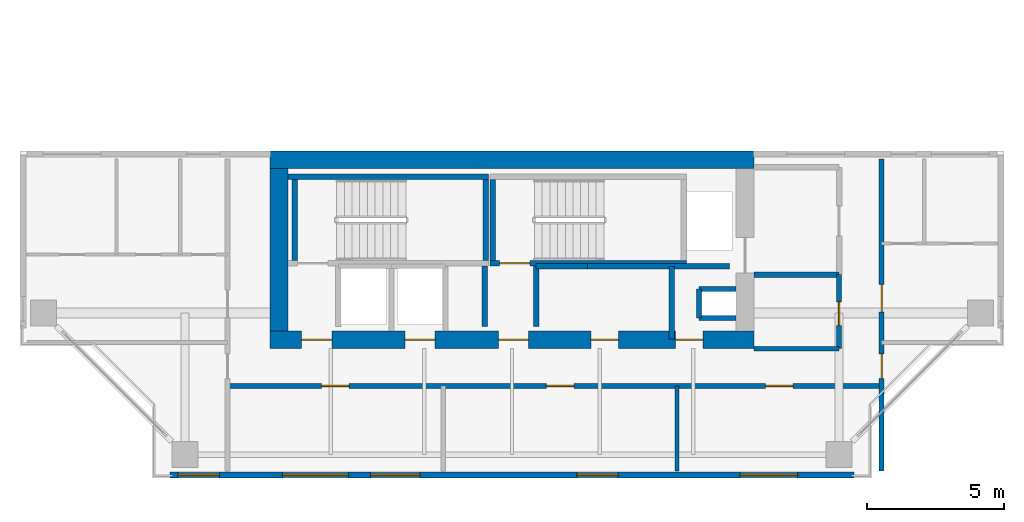
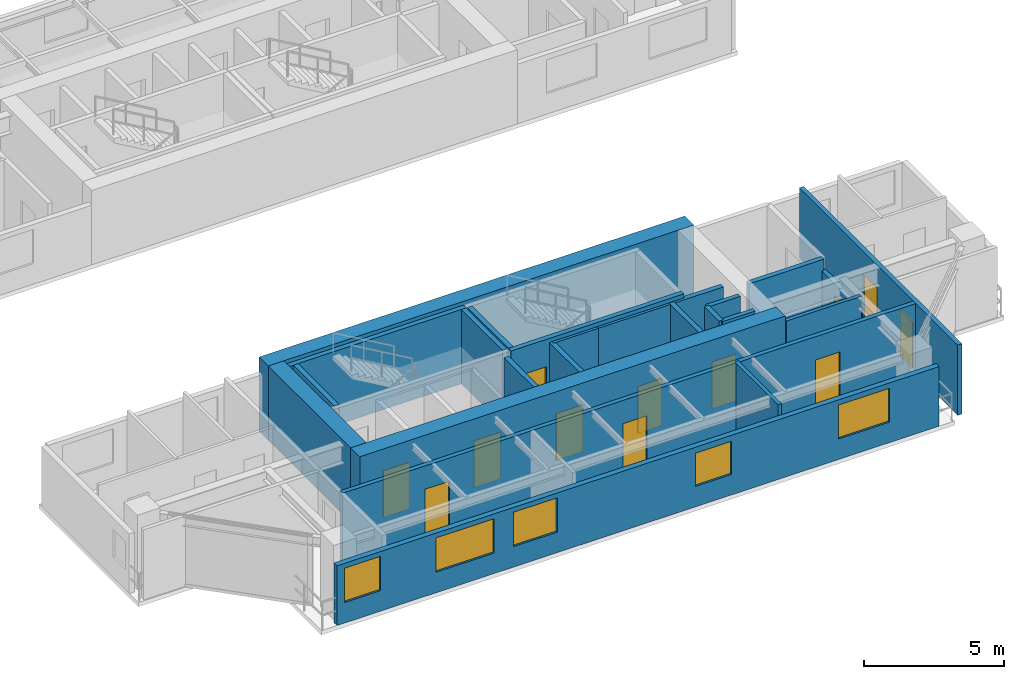
# One storey, part 7 of 12: 23 walls, 12 doors, 5 windows, 17 openings.
"""IFC4 building model written with IfcOpenShell, lengths in metres."""

from ifc_helpers import new_model, si_unit, direction, frame, frame_2d, origin, place, context, subcontext, project, spatial, rectangle, extrude, source, transform, mapped, material, layer, layer_set, type_object, element, fill, save


model = new_model("IFC4")

# Units and contexts
model_context = context("Model", 3, precision=1e-05, world=origin(), true_north=direction((0.0, 1.0)))
body_context = subcontext(model_context, "Body", "Model", "MODEL_VIEW")
ifc_project = project(units=[si_unit("LENGTHUNIT", "METRE"), si_unit("AREAUNIT", "SQUARE_METRE"), si_unit("VOLUMEUNIT", "CUBIC_METRE"), si_unit("PLANEANGLEUNIT", "RADIAN"), si_unit("MASSUNIT", "GRAM", prefix="KILO"), si_unit("THERMODYNAMICTEMPERATUREUNIT", "KELVIN"), si_unit("POWERUNIT", "WATT")], contexts=[model_context])

# Site, building, storey
site_placement = place(None, origin())
site = spatial("IfcSite", under=ifc_project, at=site_placement, CompositionType="ELEMENT")
building_placement = place(site_placement, origin())
building = spatial("IfcBuilding", under=site, at=building_placement, Name="Qiaomeng Ring Towers", CompositionType="ELEMENT")
storey_placement = place(building_placement, frame((0.0, 0.0, 156.75)))
storey = spatial("IfcBuildingStorey", under=building, at=storey_placement, Name="L45", CompositionType="ELEMENT", Elevation=156.75)

# Wall, openings, windows
ifc_material_1 = material(Name="Precast concrete C40", Category="concrete")
ifc_layer_1 = layer(ifc_material_1, 0.219970703125, Name="Precast concrete C40")
ifc_layer_set_1 = layer_set([ifc_layer_1], Name="Precast concrete C40")
wall_type_1 = type_object("IfcWallType", Name="ARC-WL-EW2", PredefinedType="STANDARD", material=ifc_layer_set_1)
wall_1_placement = place(storey_placement, frame((6.550048828125, 5.2099609375, 0.0), z_axis=(0.0, 0.0, 1.0), x_axis=(1.0, 0.0, 0.0)))
wall_1 = element("IfcWall", 1, at=wall_1_placement, inside=storey, type_object=wall_type_1, Name="L45 Tower 1 S Exterior Wall", PredefinedType="STANDARD", context=body_context, shape_type="SweptSolid", body=[
    extrude(rectangle(XDim=24.89990234375, YDim=0.219970703125, at=frame_2d((12.449951171875, 0.0))), origin(), (0.0, 0.0, 1.0), 2.610107421875),
])
opening_1_placement = place(wall_1_placement, frame((0.300048828125, 0.0, 0.89990234375)))
opening_1 = element("IfcOpeningElement", 2, at=opening_1_placement, cuts=wall_1, Name="Opening WN2", PredefinedType="OPENING", context=body_context, shape_type="SweptSolid", body=[
    extrude(rectangle(XDim=1.5, YDim=1.5, at=frame_2d((0.75, 0.75))), frame((0.0, 0.119873046875, 0.0), z_axis=(0.0, -1.0, 0.0), x_axis=(1.0, 0.0, 0.0)), (0.0, 0.0, 1.0), 0.239990234375),
])
opening_2_placement = place(wall_1_placement, frame((7.304443359375, 0.0, 0.89990234375)))
opening_2 = element("IfcOpeningElement", 3, at=opening_2_placement, cuts=wall_1, Name="Opening WN1", PredefinedType="OPENING", context=body_context, shape_type="SweptSolid", body=[
    extrude(rectangle(XDim=1.800048828125, YDim=1.5, at=frame_2d((0.89990234375, 0.75))), frame((0.0, 0.119873046875, 0.0), z_axis=(0.0, -1.0, 0.0), x_axis=(1.0, 0.0, 0.0)), (0.0, 0.0, 1.0), 0.239990234375),
])
opening_3_placement = place(wall_1_placement, frame((14.81298828125, 0.0, 0.89990234375)))
opening_3 = element("IfcOpeningElement", 4, at=opening_3_placement, cuts=wall_1, Name="Opening WN2", PredefinedType="OPENING", context=body_context, shape_type="SweptSolid", body=[
    extrude(rectangle(XDim=1.5, YDim=1.449951171875, at=frame_2d((0.75, 0.72509765625))), frame((0.0, 0.119873046875, 0.0), z_axis=(0.0, -1.0, 0.0), x_axis=(1.0, 0.0, 0.0)), (0.0, 0.0, 1.0), 0.239990234375),
])
opening_4_placement = place(wall_1_placement, frame((20.738037109375, 0.0, 0.89990234375)))
opening_4 = element("IfcOpeningElement", 5, at=opening_4_placement, cuts=wall_1, Name="Opening WN4", PredefinedType="OPENING", context=body_context, shape_type="SweptSolid", body=[
    extrude(rectangle(XDim=2.10009765625, YDim=1.47998046875, at=frame_2d((1.050048828125, 0.739990234375))), frame((0.0, 0.119873046875, 0.0), z_axis=(0.0, -1.0, 0.0), x_axis=(1.0, 0.0, 0.0)), (0.0, 0.0, 1.0), 0.239990234375),
])
opening_5_placement = place(wall_1_placement, frame((4.093994140625, 0.0, 0.89990234375)))
opening_5 = element("IfcOpeningElement", 6, at=opening_5_placement, cuts=wall_1, Name="Opening WN6", PredefinedType="OPENING", context=body_context, shape_type="SweptSolid", body=[
    extrude(rectangle(XDim=2.39990234375, YDim=1.5, at=frame_2d((1.199951171875, 0.75))), frame((0.0, 0.119873046875, 0.0), z_axis=(0.0, -1.0, 0.0), x_axis=(1.0, 0.0, 0.0)), (0.0, 0.0, 1.0), 0.239990234375),
])
ifc_material_2 = material(Name="Low-E dark-grey laminated double glazing", Category="glass")
window_type_1 = type_object("IfcWindowType", Name="ARC-WN-2", PartitioningType="DOUBLE_PANEL_VERTICAL", PredefinedType="WINDOW", material=ifc_material_2)
shared_shape_1 = source(origin(), body_context, "Body", "SweptSolid", [
    extrude(rectangle(XDim=1.5, YDim=1.449951171875, at=frame_2d((0.75, 0.72509765625))), frame((0.0, 0.030029296875, 0.0), z_axis=(0.0, -1.0, 0.0), x_axis=(1.0, 0.0, 0.0)), (0.0, 0.0, 1.0), 0.06005859375),
])
window_1_placement = place(opening_3_placement, origin())
window_1 = element("IfcWindow", 7, at=window_1_placement, inside=storey, type_object=window_type_1, Name="L45 Exterior Window WN2", OverallHeight=1.449951171875, OverallWidth=1.5, PartitioningType="DOUBLE_PANEL_VERTICAL", PredefinedType="WINDOW", context=body_context, shape_type="MappedRepresentation", body=[
    mapped(shared_shape_1, transform((0.0, 0.0, 0.0), x_axis=(1.0, 0.0, 0.0), y_axis=(0.0, 1.0, 0.0), z_axis=(0.0, 0.0, 1.0), scale=1.0)),
])
fill(opening_3, window_1)
window_type_2 = type_object("IfcWindowType", Name="ARC-WN-4", PartitioningType="TRIPLE_PANEL_VERTICAL", PredefinedType="WINDOW", material=ifc_material_2)
shared_shape_2 = source(origin(), body_context, "Body", "SweptSolid", [
    extrude(rectangle(XDim=2.10009765625, YDim=1.47998046875, at=frame_2d((1.050048828125, 0.739990234375))), frame((0.0, 0.030029296875, 0.0), z_axis=(0.0, -1.0, 0.0), x_axis=(1.0, 0.0, 0.0)), (0.0, 0.0, 1.0), 0.06005859375),
])
window_2_placement = place(opening_4_placement, origin())
window_2 = element("IfcWindow", 8, at=window_2_placement, inside=storey, type_object=window_type_2, Name="L45 Exterior Window WN4", OverallHeight=1.47998046875, OverallWidth=2.10009765625, PartitioningType="TRIPLE_PANEL_VERTICAL", PredefinedType="WINDOW", context=body_context, shape_type="MappedRepresentation", body=[
    mapped(shared_shape_2, transform((0.0, 0.0, 0.0), x_axis=(1.0, 0.0, 0.0), y_axis=(0.0, 1.0, 0.0), z_axis=(0.0, 0.0, 1.0), scale=1.0)),
])
fill(opening_4, window_2)
shared_shape_3 = source(origin(), body_context, "Body", "SweptSolid", [
    extrude(rectangle(XDim=1.5, YDim=1.5, at=frame_2d((0.75, 0.75))), frame((0.0, 0.030029296875, 0.0), z_axis=(0.0, -1.0, 0.0), x_axis=(1.0, 0.0, 0.0)), (0.0, 0.0, 1.0), 0.06005859375),
])
window_3_placement = place(opening_1_placement, origin())
window_3 = element("IfcWindow", 9, at=window_3_placement, inside=storey, type_object=window_type_1, Name="L45 Exterior Window WN6", OverallHeight=1.5, OverallWidth=1.5, PartitioningType="TRIPLE_PANEL_VERTICAL", PredefinedType="WINDOW", context=body_context, shape_type="MappedRepresentation", body=[
    mapped(shared_shape_3, transform((0.0, 0.0, 0.0), x_axis=(1.0, 0.0, 0.0), y_axis=(0.0, 1.0, 0.0), z_axis=(0.0, 0.0, 1.0), scale=1.0)),
])
fill(opening_1, window_3)
window_type_3 = type_object("IfcWindowType", Name="ARC-WN-6", PartitioningType="TRIPLE_PANEL_VERTICAL", PredefinedType="WINDOW", material=ifc_material_2)
shared_shape_4 = source(origin(), body_context, "Body", "SweptSolid", [
    extrude(rectangle(XDim=2.39990234375, YDim=1.5, at=frame_2d((1.199951171875, 0.75))), frame((0.0, 0.030029296875, 0.0), z_axis=(0.0, -1.0, 0.0), x_axis=(1.0, 0.0, 0.0)), (0.0, 0.0, 1.0), 0.06005859375),
])
window_4_placement = place(opening_5_placement, origin())
window_4 = element("IfcWindow", 10, at=window_4_placement, inside=storey, type_object=window_type_3, Name="L45 Exterior Window WN6", OverallHeight=1.5, OverallWidth=2.39990234375, PartitioningType="TRIPLE_PANEL_VERTICAL", PredefinedType="WINDOW", context=body_context, shape_type="MappedRepresentation", body=[
    mapped(shared_shape_4, transform((0.0, 0.0, 0.0), x_axis=(1.0, 0.0, 0.0), y_axis=(0.0, 1.0, 0.0), z_axis=(0.0, 0.0, 1.0), scale=1.0)),
])
fill(opening_5, window_4)
window_type_4 = type_object("IfcWindowType", Name="ARC-WN-1", PartitioningType="DOUBLE_PANEL_VERTICAL", PredefinedType="WINDOW", material=ifc_material_2)
shared_shape_5 = source(origin(), body_context, "Body", "SweptSolid", [
    extrude(rectangle(XDim=1.800048828125, YDim=1.5, at=frame_2d((0.89990234375, 0.75))), frame((0.0, 0.030029296875, 0.0), z_axis=(0.0, -1.0, 0.0), x_axis=(1.0, 0.0, 0.0)), (0.0, 0.0, 1.0), 0.06005859375),
])
window_5_placement = place(opening_2_placement, origin())
window_5 = element("IfcWindow", 11, at=window_5_placement, inside=storey, type_object=window_type_4, Name="L45 Exterior Window WN1", OverallHeight=1.5, OverallWidth=1.800048828125, PartitioningType="DOUBLE_PANEL_VERTICAL", PredefinedType="WINDOW", context=body_context, shape_type="MappedRepresentation", body=[
    mapped(shared_shape_5, transform((0.0, 0.0, 0.0), x_axis=(1.0, 0.0, 0.0), y_axis=(0.0, 1.0, 0.0), z_axis=(0.0, 0.0, 1.0), scale=1.0)),
])
fill(opening_2, window_5)

# Walls
ifc_material_3 = material(Name="Autoclaved aerated concrete block", Category="concrete")
ifc_layer_2 = layer(ifc_material_3, 0.199951171875, Name="Autoclaved aerated concrete block")
ifc_layer_set_2 = layer_set([ifc_layer_2], Name="Autoclaved aerated concrete block")
wall_type_2 = type_object("IfcWallType", Name="ARC-WL-PW1", PredefinedType="PARTITIONING", material=ifc_layer_set_2)
wall_2_placement = place(storey_placement, frame((27.800048828125, 12.5, 0.0), z_axis=(0.0, 0.0, 1.0), x_axis=(1.0, 0.0, 0.0)))
element("IfcWall", 12, at=wall_2_placement, inside=storey, type_object=wall_type_2, Name="L45 Interior Wall PW1", PredefinedType="PARTITIONING", context=body_context, shape_type="SweptSolid", body=[
    extrude(rectangle(XDim=3.099853515625, YDim=0.199951171875, at=frame_2d((1.5498046875, 0.0))), origin(), (0.0, 0.0, 1.0), 3.070068359375),
])
for number, where, z_axis, x_axis, name in (
    (13, (18.0, 10.60009765625, 0.0), (0.0, 0.0, 1.0), (0.0, 1.0, 0.0), "L45 Interior Wall PW1"),
    (14, (19.8798828125, 10.60009765625, 0.0), (0.0, 0.0, 1.0), (0.0, 1.0, 0.0), "L45 Interior Wall PW1"),
):
    element("IfcWall", number, at=place(storey_placement, frame(where, z_axis=z_axis, x_axis=x_axis)), inside=storey, type_object=wall_type_2, Name=name, PredefinedType="PARTITIONING", context=body_context, shape_type="SweptSolid", body=[
        extrude(rectangle(XDim=2.2099609375, YDim=0.199951171875, at=frame_2d((1.10498046875, 0.0))), origin(), (0.0, 0.0, 1.0), 3.070068359375),
    ])
wall_3_placement = place(storey_placement, frame((24.820068359375, 10.14990234375, 0.0), z_axis=(0.0, 0.0, 1.0), x_axis=(0.0, 1.0, 0.0)))
element("IfcWall", 15, at=wall_3_placement, inside=storey, type_object=wall_type_2, Name="L45 Interior Wall PW1", PredefinedType="PARTITIONING", context=body_context, shape_type="SweptSolid", body=[
    extrude(rectangle(XDim=2.650146484375, YDim=0.199951171875, at=frame_2d((1.3251953125, 0.0))), origin(), (0.0, 0.0, 1.0), 3.070068359375),
])
wall_4_placement = place(storey_placement, frame((19.8798828125, 12.800048828125, 0.0), z_axis=(0.0, 0.0, 1.0), x_axis=(1.0, 0.0, 0.0)))
element("IfcWall", 16, at=wall_4_placement, inside=storey, type_object=wall_type_2, Name="L45 Interior Wall PW1", PredefinedType="PARTITIONING", context=body_context, shape_type="SweptSolid", body=[
    extrude(rectangle(XDim=1.8701171875, YDim=0.199951171875, at=frame_2d((0.93505859375, 0.0))), origin(), (0.0, 0.0, 1.0), 3.070068359375),
])
wall_5_placement = place(storey_placement, frame((21.75, 12.800048828125, 0.0), z_axis=(0.0, 0.0, 1.0), x_axis=(1.0, 0.0, 0.0)))
element("IfcWall", 17, at=wall_5_placement, inside=storey, type_object=wall_type_2, Name="L45 Interior Wall PW1", PredefinedType="PARTITIONING", context=body_context, shape_type="SweptSolid", body=[
    extrude(rectangle(XDim=5.169921875, YDim=0.199951171875, at=frame_2d((2.5849609375, 0.0))), origin(), (0.0, 0.0, 1.0), 3.070068359375),
])

# Wall, opening, door
ifc_layer_3 = layer(ifc_material_3, 0.179931640625, Name="Autoclaved aerated concrete block")
ifc_layer_set_3 = layer_set([ifc_layer_3], Name="Autoclaved aerated concrete block")
wall_type_3 = type_object("IfcWallType", Name="ARC-WL-PW2", PredefinedType="PARTITIONING", material=ifc_layer_set_3)
wall_6_placement = place(storey_placement, frame((30.89990234375, 9.800048828125, 0.0), z_axis=(0.0, 0.0, 1.0), x_axis=(0.0, 1.0, 0.0)))
wall_6 = element("IfcWall", 18, at=wall_6_placement, inside=storey, type_object=wall_type_3, Name="L45 Interior Wall PW2", PredefinedType="PARTITIONING", context=body_context, shape_type="SweptSolid", body=[
    extrude(rectangle(XDim=2.699951171875, YDim=0.179931640625, at=frame_2d((1.35009765625, 0.0))), origin(), (0.0, 0.0, 1.0), 2.576904296875),
])
opening_6_placement = place(wall_6_placement, frame((0.85009765625, 0.0, 0.0)))
opening_6 = element("IfcOpeningElement", 19, at=opening_6_placement, cuts=wall_6, Name="Opening ID2", PredefinedType="OPENING", context=body_context, shape_type="SweptSolid", body=[
    extrude(rectangle(XDim=0.85009765625, YDim=2.050048828125, at=frame_2d((0.425048828125, 1.02490234375))), frame((0.0, 0.099853515625, 0.0), z_axis=(0.0, -1.0, 0.0), x_axis=(1.0, 0.0, 0.0)), (0.0, 0.0, 1.0), 0.199951171875),
])
ifc_material_4 = material(Name="Moisture-resistant engineered timber", Category="wood")
door_type_1 = type_object("IfcDoorType", Name="ARC-DR-ID2", OperationType="NOTDEFINED", PredefinedType="DOOR", material=ifc_material_4)
shared_shape_6 = source(origin(), body_context, "Body", "SweptSolid", [
    extrude(rectangle(XDim=0.85009765625, YDim=2.050048828125, at=frame_2d((0.425048828125, 1.02490234375))), frame((0.0, 0.02490234375, 0.0), z_axis=(0.0, -1.0, 0.0), x_axis=(1.0, 0.0, 0.0)), (0.0, 0.0, 1.0), 0.050048828125),
])
door_1_placement = place(opening_6_placement, origin())
door_1 = element("IfcDoor", 20, at=door_1_placement, inside=storey, type_object=door_type_1, Name="L45 Door ID2", OperationType="SINGLE_SWING_RIGHT", OverallHeight=2.050048828125, OverallWidth=0.85009765625, PredefinedType="DOOR", context=body_context, shape_type="MappedRepresentation", body=[
    mapped(shared_shape_6, transform((0.0, 0.0, 0.0), x_axis=(1.0, 0.0, 0.0), y_axis=(0.0, 1.0, 0.0), z_axis=(0.0, 0.0, 1.0), scale=1.0)),
])
fill(opening_6, door_1)

# Wall, openings, doors
wall_7_placement = place(storey_placement, frame((32.449951171875, 5.35009765625, 0.0), z_axis=(0.0, 0.0, 1.0), x_axis=(0.0, 1.0, 0.0)))
wall_7 = element("IfcWall", 21, at=wall_7_placement, inside=storey, type_object=wall_type_3, Name="L45 Interior Wall PW2", PredefinedType="PARTITIONING", context=body_context, shape_type="SweptSolid", body=[
    extrude(rectangle(XDim=11.349853515625, YDim=0.179931640625, at=frame_2d((5.6748046875, 0.0))), origin(), (0.0, 0.0, 1.0), 3.070068359375),
])
opening_7_placement = place(wall_7_placement, frame((3.360107421875, 0.0, 0.0)))
opening_7 = element("IfcOpeningElement", 22, at=opening_7_placement, cuts=wall_7, Name="Opening ID1", PredefinedType="OPENING", context=body_context, shape_type="SweptSolid", body=[
    extrude(rectangle(XDim=0.89990234375, YDim=2.050048828125, at=frame_2d((0.449951171875, 1.02490234375))), frame((0.0, 0.099853515625, 0.0), z_axis=(0.0, -1.0, 0.0), x_axis=(1.0, 0.0, 0.0)), (0.0, 0.0, 1.0), 0.199951171875),
])
opening_8_placement = place(wall_7_placement, frame((5.784912109375, 0.0, 0.0)))
opening_8 = element("IfcOpeningElement", 23, at=opening_8_placement, cuts=wall_7, Name="Opening FD4", PredefinedType="OPENING", context=body_context, shape_type="SweptSolid", body=[
    extrude(rectangle(XDim=1.0, YDim=2.050048828125, at=frame_2d((0.5, 1.02490234375))), frame((0.0, 0.099853515625, 0.0), z_axis=(0.0, -1.0, 0.0), x_axis=(1.0, 0.0, 0.0)), (0.0, 0.0, 1.0), 0.199951171875),
])
ifc_material_5 = material(Name="Engineered fire-rated oak timber", Category="wood")
door_type_2 = type_object("IfcDoorType", Name="ARC-DR-FD4", OperationType="NOTDEFINED", PredefinedType="DOOR", material=ifc_material_5)
shared_shape_7 = source(origin(), body_context, "Body", "SweptSolid", [
    extrude(rectangle(XDim=1.0, YDim=2.050048828125, at=frame_2d((0.5, 1.02490234375))), frame((0.0, 0.02490234375, 0.0), z_axis=(0.0, -1.0, 0.0), x_axis=(1.0, 0.0, 0.0)), (0.0, 0.0, 1.0), 0.050048828125),
])
door_2_placement = place(opening_8_placement, origin())
door_2 = element("IfcDoor", 24, at=door_2_placement, inside=storey, type_object=door_type_2, Name="L45 Door FD4", OperationType="SINGLE_SWING_RIGHT", OverallHeight=2.050048828125, OverallWidth=1.0, PredefinedType="DOOR", context=body_context, shape_type="MappedRepresentation", body=[
    mapped(shared_shape_7, transform((0.0, 0.0, 0.0), x_axis=(1.0, 0.0, 0.0), y_axis=(0.0, 1.0, 0.0), z_axis=(0.0, 0.0, 1.0), scale=1.0)),
])
fill(opening_8, door_2)
ifc_material_6 = material(Name="Engineered oak timber", Category="wood")
door_type_3 = type_object("IfcDoorType", Name="ARC-DR-ID1", OperationType="NOTDEFINED", PredefinedType="DOOR", material=ifc_material_6)
shared_shape_8 = source(origin(), body_context, "Body", "SweptSolid", [
    extrude(rectangle(XDim=0.89990234375, YDim=2.050048828125, at=frame_2d((0.449951171875, 1.02490234375))), frame((0.0, 0.02490234375, 0.0), z_axis=(0.0, -1.0, 0.0), x_axis=(1.0, 0.0, 0.0)), (0.0, 0.0, 1.0), 0.050048828125),
])
door_3_placement = place(opening_7_placement, origin())
door_3 = element("IfcDoor", 25, at=door_3_placement, inside=storey, type_object=door_type_3, Name="L45 Door ID1", OperationType="SINGLE_SWING_LEFT", OverallHeight=2.050048828125, OverallWidth=0.89990234375, PredefinedType="DOOR", context=body_context, shape_type="MappedRepresentation", body=[
    mapped(shared_shape_8, transform((0.0, 0.0, 0.0), x_axis=(1.0, 0.0, 0.0), y_axis=(0.0, 1.0, 0.0), z_axis=(0.0, 0.0, 1.0), scale=1.0)),
])
fill(opening_7, door_3)

wall_8_placement = place(storey_placement, frame((8.64990234375, 8.449951171875, 0.0), z_axis=(0.0, 0.0, 1.0), x_axis=(1.0, 0.0, 0.0)))
wall_8 = element("IfcWall", 26, at=wall_8_placement, inside=storey, type_object=wall_type_3, Name="L45 Interior Wall PW2", PredefinedType="PARTITIONING", context=body_context, shape_type="SweptSolid", body=[
    extrude(rectangle(XDim=23.800048828125, YDim=0.179931640625, at=frame_2d((11.89990234375, 0.0))), origin(), (0.0, 0.0, 1.0), 3.070068359375),
])
opening_9_placement = place(wall_8_placement, frame((3.425048828125, 0.0, 0.0)))
opening_9 = element("IfcOpeningElement", 27, at=opening_9_placement, cuts=wall_8, Name="Opening FD4", PredefinedType="OPENING", context=body_context, shape_type="SweptSolid", body=[
    extrude(rectangle(XDim=1.0, YDim=2.050048828125, at=frame_2d((0.5, 1.02490234375))), frame((0.0, 0.099853515625, 0.0), z_axis=(0.0, -1.0, 0.0), x_axis=(1.0, 0.0, 0.0)), (0.0, 0.0, 1.0), 0.199951171875),
])
opening_10_placement = place(wall_8_placement, frame((11.60009765625, 0.0, 0.0)))
opening_10 = element("IfcOpeningElement", 28, at=opening_10_placement, cuts=wall_8, Name="Opening FD4", PredefinedType="OPENING", context=body_context, shape_type="SweptSolid", body=[
    extrude(rectangle(XDim=1.0, YDim=2.050048828125, at=frame_2d((0.5, 1.02490234375))), frame((0.0, 0.099853515625, 0.0), z_axis=(0.0, -1.0, 0.0), x_axis=(1.0, 0.0, 0.0)), (0.0, 0.0, 1.0), 0.199951171875),
])
opening_11_placement = place(wall_8_placement, frame((19.574951171875, 0.0, 0.0)))
opening_11 = element("IfcOpeningElement", 29, at=opening_11_placement, cuts=wall_8, Name="Opening FD4", PredefinedType="OPENING", context=body_context, shape_type="SweptSolid", body=[
    extrude(rectangle(XDim=1.0, YDim=2.050048828125, at=frame_2d((0.5, 1.02490234375))), frame((0.0, 0.099853515625, 0.0), z_axis=(0.0, -1.0, 0.0), x_axis=(1.0, 0.0, 0.0)), (0.0, 0.0, 1.0), 0.199951171875),
])
door_4_placement = place(opening_9_placement, origin())
door_4 = element("IfcDoor", 30, at=door_4_placement, inside=storey, type_object=door_type_2, Name="L45 Door FD4", OperationType="SINGLE_SWING_LEFT", OverallHeight=2.050048828125, OverallWidth=1.0, PredefinedType="DOOR", context=body_context, shape_type="MappedRepresentation", body=[
    mapped(shared_shape_7, transform((0.0, 0.0, 0.0), x_axis=(1.0, 0.0, 0.0), y_axis=(0.0, 1.0, 0.0), z_axis=(0.0, 0.0, 1.0), scale=1.0)),
])
fill(opening_9, door_4)
door_5_placement = place(opening_10_placement, origin())
door_5 = element("IfcDoor", 31, at=door_5_placement, inside=storey, type_object=door_type_2, Name="L45 Door FD4", OperationType="SINGLE_SWING_RIGHT", OverallHeight=2.050048828125, OverallWidth=1.0, PredefinedType="DOOR", context=body_context, shape_type="MappedRepresentation", body=[
    mapped(shared_shape_7, transform((0.0, 0.0, 0.0), x_axis=(1.0, 0.0, 0.0), y_axis=(0.0, 1.0, 0.0), z_axis=(0.0, 0.0, 1.0), scale=1.0)),
])
fill(opening_10, door_5)
door_6_placement = place(opening_11_placement, origin())
door_6 = element("IfcDoor", 32, at=door_6_placement, inside=storey, type_object=door_type_2, Name="L45 Door FD4", OperationType="SINGLE_SWING_LEFT", OverallHeight=2.050048828125, OverallWidth=1.0, PredefinedType="DOOR", context=body_context, shape_type="MappedRepresentation", body=[
    mapped(shared_shape_7, transform((0.0, 0.0, 0.0), x_axis=(1.0, 0.0, 0.0), y_axis=(0.0, 1.0, 0.0), z_axis=(0.0, 0.0, 1.0), scale=1.0)),
])
fill(opening_11, door_6)

# Walls
ifc_material_7 = material(Name="Gypsum fireboard steel-stud partition", Category="steel")
ifc_layer_4 = layer(ifc_material_7, 0.14990234375, Name="Gypsum fireboard steel-stud partition")
ifc_layer_set_4 = layer_set([ifc_layer_4], Name="Gypsum fireboard steel-stud partition")
wall_type_4 = type_object("IfcWallType", Name="ARC-WL-PW3", PredefinedType="PARTITIONING", material=ifc_layer_set_4)
for number, where, z_axis, x_axis, name in (
    (33, (27.800048828125, 9.800048828125, 0.0), (0.0, 0.0, 1.0), (1.0, 0.0, 0.0), "L45 Interior Wall PW3"),
    (34, (25.0, 5.35009765625, 0.0), (0.0, 0.0, 1.0), (0.0, 1.0, 0.0), "L45 Interior Wall PW3"),
):
    element("IfcWall", number, at=place(storey_placement, frame(where, z_axis=z_axis, x_axis=x_axis)), inside=storey, type_object=wall_type_4, Name=name, PredefinedType="PARTITIONING", context=body_context, shape_type="SweptSolid", body=[
        extrude(rectangle(XDim=3.099853515625, YDim=0.14990234375, at=frame_2d((1.5498046875, 0.0))), origin(), (0.0, 0.0, 1.0), 3.070068359375),
    ])
ifc_material_8 = material(Name="Concrete C40", Category="concrete")
ifc_layer_5 = layer(ifc_material_8, 0.199951171875, Name="Concrete C40")
ifc_layer_set_5 = layer_set([ifc_layer_5], Name="Concrete C40")
wall_type_5 = type_object("IfcWallType", Name="STR-WL-STSHAFT", PredefinedType="SHEAR", material=ifc_layer_set_5)
wall_9_placement = place(storey_placement, frame((25.800048828125, 10.919921875, 0.0), z_axis=(0.0, 0.0, 1.0), x_axis=(0.0, 1.0, 0.0)))
element("IfcWall", 35, at=wall_9_placement, inside=storey, type_object=wall_type_5, Name="L45 Riser RSR1 West Shaft Wall S", PredefinedType="SHEAR", context=body_context, shape_type="SweptSolid", body=[
    extrude(rectangle(XDim=1.06005859375, YDim=0.179931640625, at=frame_2d((0.530029296875, 0.0))), origin(), (0.0, 0.0, 1.0), 3.070068359375),
])
for number, where, z_axis, x_axis, name in (
    (36, (25.800048828125, 11.97998046875, 0.0), (0.0, 0.0, 1.0), (1.0, 0.0, 0.0), "L45 Riser RSR1 North Shaft Wall S"),
    (37, (25.800048828125, 10.919921875, 0.0), (0.0, 0.0, 1.0), (1.0, 0.0, 0.0), "L45 Riser RSR1 South Shaft Wall S"),
):
    element("IfcWall", number, at=place(storey_placement, frame(where, z_axis=z_axis, x_axis=x_axis)), inside=storey, type_object=wall_type_5, Name=name, PredefinedType="SHEAR", context=body_context, shape_type="SweptSolid", body=[
        extrude(rectangle(XDim=1.349853515625, YDim=0.179931640625, at=frame_2d((0.6748046875, 0.0))), origin(), (0.0, 0.0, 1.0), 3.070068359375),
    ])
wall_10_placement = place(storey_placement, frame((10.85009765625, 16.050048828125, 0.0), z_axis=(0.0, 0.0, 1.0), x_axis=(1.0, 0.0, 0.0)))
element("IfcWall", 38, at=wall_10_placement, inside=storey, type_object=wall_type_5, Name="L45 Stair ST3 North Shaft Shear Wall", PredefinedType="SHEAR", context=body_context, shape_type="SweptSolid", body=[
    extrude(rectangle(XDim=7.2998046875, YDim=0.199951171875, at=frame_2d((3.64990234375, 0.0))), origin(), (0.0, 0.0, 1.0), 3.25),
])
for number, where, z_axis, x_axis, name in (
    (39, (11.10009765625, 13.010009765625, 0.0), (0.0, 0.0, 1.0), (0.0, 1.0, 0.0), "L45 Stair ST3 West Shaft Shear Wall"),
    (40, (18.050048828125, 13.010009765625, 0.0), (0.0, 0.0, 1.0), (0.0, 1.0, 0.0), "L45 Stair ST3 East Shaft Shear Wall"),
):
    element("IfcWall", number, at=place(storey_placement, frame(where, z_axis=z_axis, x_axis=x_axis)), inside=storey, type_object=wall_type_5, Name=name, PredefinedType="SHEAR", context=body_context, shape_type="SweptSolid", body=[
        extrude(rectangle(XDim=2.93994140625, YDim=0.199951171875, at=frame_2d((1.469970703125, 0.0))), origin(), (0.0, 0.0, 1.0), 3.25),
    ])

# Wall, opening, door
wall_11_placement = place(storey_placement, frame((18.199951171875, 12.909912109375, 0.0), z_axis=(0.0, 0.0, 1.0), x_axis=(1.0, 0.0, 0.0)))
wall_11 = element("IfcWall", 41, at=wall_11_placement, inside=storey, type_object=wall_type_5, Name="L45 Stair ST4 South Shaft Shear Wall", PredefinedType="SHEAR", context=body_context, shape_type="SweptSolid", body=[
    extrude(rectangle(XDim=7.150146484375, YDim=0.199951171875, at=frame_2d((3.5751953125, 0.0))), origin(), (0.0, 0.0, 1.0), 3.25),
])
opening_12_placement = place(wall_11_placement, frame((0.35009765625, 0.0, 0.0)))
opening_12 = element("IfcOpeningElement", 42, at=opening_12_placement, cuts=wall_11, Name="Opening FD3", PredefinedType="OPENING", context=body_context, shape_type="SweptSolid", body=[
    extrude(rectangle(XDim=1.10009765625, YDim=2.050048828125, at=frame_2d((0.550048828125, 1.02490234375))), frame((0.0, 0.10986328125, 0.0), z_axis=(0.0, -1.0, 0.0), x_axis=(1.0, 0.0, 0.0)), (0.0, 0.0, 1.0), 0.219970703125),
])
ifc_material_9 = material(Name="Galvanised steel", Category="steel")
door_type_4 = type_object("IfcDoorType", Name="ARC-DR-FD3", OperationType="NOTDEFINED", PredefinedType="DOOR", material=ifc_material_9)
shared_shape_9 = source(origin(), body_context, "Body", "SweptSolid", [
    extrude(rectangle(XDim=1.10009765625, YDim=2.050048828125, at=frame_2d((0.550048828125, 1.02490234375))), frame((0.0, 0.02490234375, 0.0), z_axis=(0.0, -1.0, 0.0), x_axis=(1.0, 0.0, 0.0)), (0.0, 0.0, 1.0), 0.050048828125),
])
door_7_placement = place(opening_12_placement, frame((1.10009765625, 0.0, 0.0), z_axis=(0.0, 0.0, 1.0), x_axis=(-1.0, 0.0, 0.0)))
door_7 = element("IfcDoor", 43, at=door_7_placement, inside=storey, type_object=door_type_4, Name="L45 Stair ST4 Exit Door", OperationType="SINGLE_SWING_LEFT", OverallHeight=2.050048828125, OverallWidth=1.10009765625, PredefinedType="DOOR", context=body_context, shape_type="MappedRepresentation", body=[
    mapped(shared_shape_9, transform((0.0, 0.0, 0.0), x_axis=(1.0, 0.0, 0.0), y_axis=(0.0, 1.0, 0.0), z_axis=(0.0, 0.0, 1.0), scale=1.0)),
])
fill(opening_12, door_7)

# Wall
wall_12_placement = place(storey_placement, frame((18.300048828125, 13.010009765625, 0.0), z_axis=(0.0, 0.0, 1.0), x_axis=(0.0, 1.0, 0.0)))
element("IfcWall", 44, at=wall_12_placement, inside=storey, type_object=wall_type_5, Name="L45 Stair ST4 West Shaft Shear Wall", PredefinedType="SHEAR", context=body_context, shape_type="SweptSolid", body=[
    extrude(rectangle(XDim=2.93994140625, YDim=0.199951171875, at=frame_2d((1.469970703125, 0.0))), origin(), (0.0, 0.0, 1.0), 3.25),
])

# Wall, openings, doors
ifc_material_10 = material(Name="Concrete C50", Category="concrete")
ifc_layer_6 = layer(ifc_material_10, 0.64990234375, Name="Concrete C50")
ifc_layer_set_6 = layer_set([ifc_layer_6], Name="Concrete C50")
wall_type_6 = type_object("IfcWallType", Name="STR-WL-SW2B", PredefinedType="SHEAR", material=ifc_layer_set_6)
wall_13_placement = place(storey_placement, frame((10.199951171875, 10.125, 0.0), z_axis=(0.0, 0.0, 1.0), x_axis=(1.0, 0.0, 0.0)))
wall_13 = element("IfcWall", 45, at=wall_13_placement, inside=storey, type_object=wall_type_6, Name="L45 T1SC south core shear wall", PredefinedType="SHEAR", context=body_context, shape_type="SweptSolid", body=[
    extrude(rectangle(XDim=17.60009765625, YDim=0.64990234375, at=frame_2d((8.800048828125, 0.0))), origin(), (0.0, 0.0, 1.0), 3.25),
])
opening_13_placement = place(wall_13_placement, frame((1.14990234375, 0.0, 0.0)))
opening_13 = element("IfcOpeningElement", 46, at=opening_13_placement, cuts=wall_13, Name="Opening FD3", PredefinedType="OPENING", context=body_context, shape_type="SweptSolid", body=[
    extrude(rectangle(XDim=1.10009765625, YDim=2.050048828125, at=frame_2d((0.550048828125, 1.02490234375))), frame((0.0, 0.3349609375, 0.0), z_axis=(0.0, -1.0, 0.0), x_axis=(1.0, 0.0, 0.0)), (0.0, 0.0, 1.0), 0.669921875),
])
opening_14_placement = place(wall_13_placement, frame((8.300048828125, 0.0, 0.0)))
opening_14 = element("IfcOpeningElement", 47, at=opening_14_placement, cuts=wall_13, Name="Opening FD3", PredefinedType="OPENING", context=body_context, shape_type="SweptSolid", body=[
    extrude(rectangle(XDim=1.10009765625, YDim=2.050048828125, at=frame_2d((0.550048828125, 1.02490234375))), frame((0.0, 0.3349609375, 0.0), z_axis=(0.0, -1.0, 0.0), x_axis=(1.0, 0.0, 0.0)), (0.0, 0.0, 1.0), 0.669921875),
])
opening_15_placement = place(wall_13_placement, frame((4.89990234375, 0.0, 0.0)))
opening_15 = element("IfcOpeningElement", 48, at=opening_15_placement, cuts=wall_13, Name="Opening LD1", PredefinedType="OPENING", context=body_context, shape_type="SweptSolid", body=[
    extrude(rectangle(XDim=1.10009765625, YDim=2.050048828125, at=frame_2d((0.550048828125, 1.02490234375))), frame((0.0, 0.3349609375, 0.0), z_axis=(0.0, -1.0, 0.0), x_axis=(1.0, 0.0, 0.0)), (0.0, 0.0, 1.0), 0.669921875),
])
opening_16_placement = place(wall_13_placement, frame((14.739990234375, 0.0, 0.0)))
opening_16 = element("IfcOpeningElement", 49, at=opening_16_placement, cuts=wall_13, Name="Opening FD1", PredefinedType="OPENING", context=body_context, shape_type="SweptSolid", body=[
    extrude(rectangle(XDim=1.0, YDim=2.050048828125, at=frame_2d((0.5, 1.02490234375))), frame((0.0, 0.3349609375, 0.0), z_axis=(0.0, -1.0, 0.0), x_axis=(1.0, 0.0, 0.0)), (0.0, 0.0, 1.0), 0.669921875),
])
opening_17_placement = place(wall_13_placement, frame((11.669921875, 0.0, 0.0)))
opening_17 = element("IfcOpeningElement", 50, at=opening_17_placement, cuts=wall_13, Name="Opening FD1", PredefinedType="OPENING", context=body_context, shape_type="SweptSolid", body=[
    extrude(rectangle(XDim=1.0, YDim=2.050048828125, at=frame_2d((0.5, 1.02490234375))), frame((0.0, 0.3349609375, 0.0), z_axis=(0.0, -1.0, 0.0), x_axis=(1.0, 0.0, 0.0)), (0.0, 0.0, 1.0), 0.669921875),
])
door_8_placement = place(opening_13_placement, origin())
door_8 = element("IfcDoor", 51, at=door_8_placement, inside=storey, type_object=door_type_4, Name="L45 Stair ST3 Lobby Door", OperationType="SINGLE_SWING_RIGHT", OverallHeight=2.050048828125, OverallWidth=1.10009765625, PredefinedType="DOOR", context=body_context, shape_type="MappedRepresentation", body=[
    mapped(shared_shape_9, transform((0.0, 0.0, 0.0), x_axis=(1.0, 0.0, 0.0), y_axis=(0.0, 1.0, 0.0), z_axis=(0.0, 0.0, 1.0), scale=1.0)),
])
fill(opening_13, door_8)
door_9_placement = place(opening_14_placement, origin())
door_9 = element("IfcDoor", 52, at=door_9_placement, inside=storey, type_object=door_type_4, Name="L45 Stair ST4 Lobby Door", OperationType="SINGLE_SWING_RIGHT", OverallHeight=2.050048828125, OverallWidth=1.10009765625, PredefinedType="DOOR", context=body_context, shape_type="MappedRepresentation", body=[
    mapped(shared_shape_9, transform((0.0, 0.0, 0.0), x_axis=(1.0, 0.0, 0.0), y_axis=(0.0, 1.0, 0.0), z_axis=(0.0, 0.0, 1.0), scale=1.0)),
])
fill(opening_14, door_9)
ifc_material_11 = material(Name="Stainless steel 316", Category="steel")
door_type_5 = type_object("IfcDoorType", Name="ARC-DR-LD1", OperationType="NOTDEFINED", PredefinedType="DOOR", material=ifc_material_11)
door_10_placement = place(opening_15_placement, origin())
door_10 = element("IfcDoor", 53, at=door_10_placement, inside=storey, type_object=door_type_5, Name="L45 Mid-Zone Lift LP4 Landing Door", OperationType="SLIDING_TO_RIGHT", OverallHeight=2.050048828125, OverallWidth=1.10009765625, PredefinedType="DOOR", context=body_context, shape_type="MappedRepresentation", body=[
    mapped(shared_shape_9, transform((0.0, 0.0, 0.0), x_axis=(1.0, 0.0, 0.0), y_axis=(0.0, 1.0, 0.0), z_axis=(0.0, 0.0, 1.0), scale=1.0)),
])
fill(opening_15, door_10)
door_type_6 = type_object("IfcDoorType", Name="ARC-DR-FD1", OperationType="NOTDEFINED", PredefinedType="DOOR", material=ifc_material_9)
door_11_placement = place(opening_16_placement, origin())
door_11 = element("IfcDoor", 54, at=door_11_placement, inside=storey, type_object=door_type_6, Name="L45 South Electrical Riser Door", OperationType="SINGLE_SWING_LEFT", OverallHeight=2.050048828125, OverallWidth=1.0, PredefinedType="DOOR", context=body_context, shape_type="MappedRepresentation", body=[
    mapped(shared_shape_7, transform((0.0, 0.0, 0.0), x_axis=(1.0, 0.0, 0.0), y_axis=(0.0, 1.0, 0.0), z_axis=(0.0, 0.0, 1.0), scale=1.0)),
])
fill(opening_16, door_11)
door_12_placement = place(opening_17_placement, origin())
door_12 = element("IfcDoor", 55, at=door_12_placement, inside=storey, type_object=door_type_6, Name="L45 South Building Management Office Door", OperationType="SINGLE_SWING_RIGHT", OverallHeight=2.050048828125, OverallWidth=1.0, PredefinedType="DOOR", context=body_context, shape_type="MappedRepresentation", body=[
    mapped(shared_shape_7, transform((0.0, 0.0, 0.0), x_axis=(1.0, 0.0, 0.0), y_axis=(0.0, 1.0, 0.0), z_axis=(0.0, 0.0, 1.0), scale=1.0)),
])
fill(opening_17, door_12)

# Walls
wall_14_placement = place(storey_placement, frame((10.199951171875, 16.675048828125, 0.0), z_axis=(0.0, 0.0, 1.0), x_axis=(1.0, 0.0, 0.0)))
element("IfcWall", 56, at=wall_14_placement, inside=storey, type_object=wall_type_6, Name="L45 T1SC north core shear wall", PredefinedType="SHEAR", context=body_context, shape_type="SweptSolid", body=[
    extrude(rectangle(XDim=17.60009765625, YDim=0.64990234375, at=frame_2d((8.800048828125, 0.0))), origin(), (0.0, 0.0, 1.0), 3.25),
])
wall_15_placement = place(storey_placement, frame((10.52490234375, 10.449951171875, 0.0), z_axis=(0.0, 0.0, 1.0), x_axis=(0.0, 1.0, 0.0)))
element("IfcWall", 57, at=wall_15_placement, inside=storey, type_object=wall_type_6, Name="L45 T1SC west core shear wall", PredefinedType="SHEAR", context=body_context, shape_type="SweptSolid", body=[
    extrude(rectangle(XDim=5.900146484375, YDim=0.64990234375, at=frame_2d((2.9501953125, 0.0))), origin(), (0.0, 0.0, 1.0), 3.25),
])

save(model, "model.ifc")
